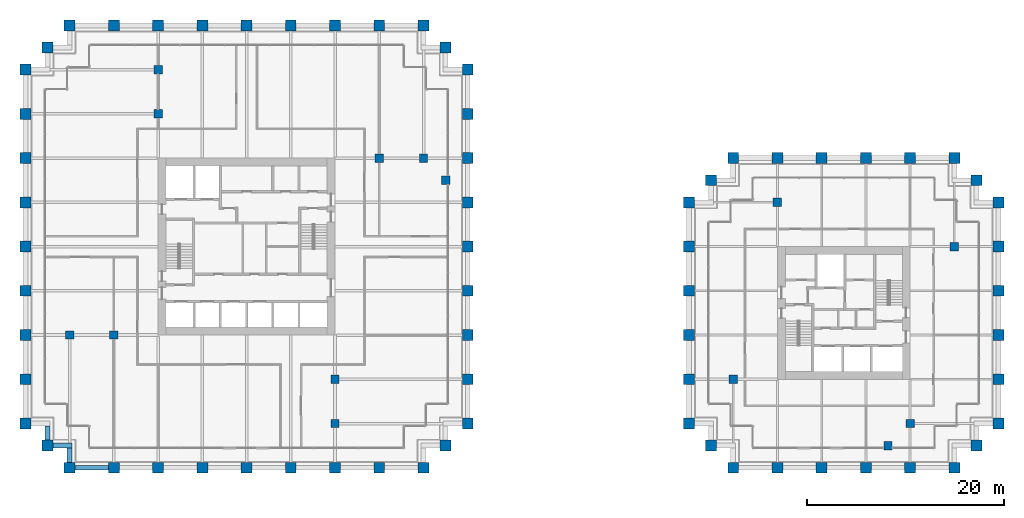
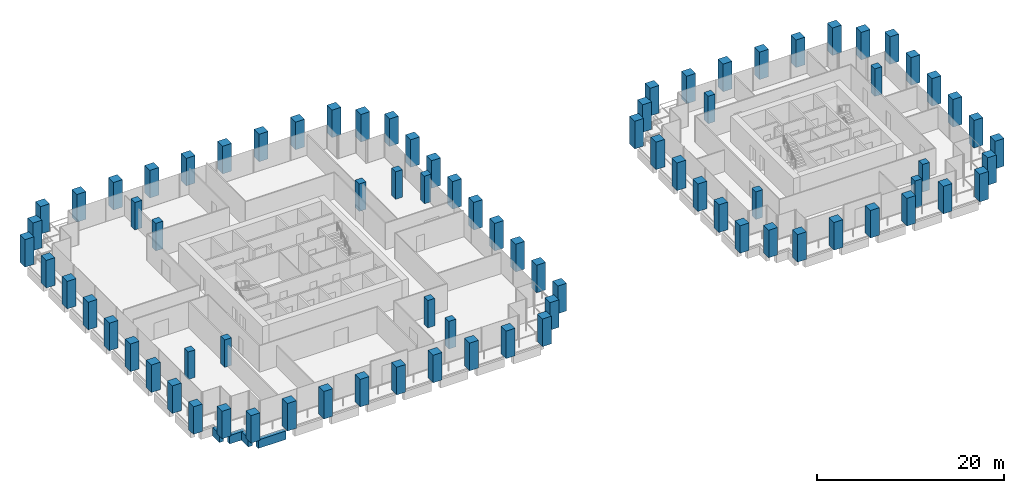
# One storey, part 1 of 54: 82 columns, 4 beams.
"""IFC4 building model written with IfcOpenShell, lengths in metres."""

from ifc_helpers import new_model, si_unit, direction, frame, origin, origin_2d, place, context, subcontext, project, spatial, rectangle, extrude, material, material_profile, profile_set, type_object, element, save


model = new_model("IFC4")

# Units and contexts
model_context = context("Model", 3, precision=1e-05, world=origin(), true_north=direction((0.0, 1.0)))
body_context = subcontext(model_context, "Body", "Model", "MODEL_VIEW")
ifc_project = project(units=[si_unit("LENGTHUNIT", "METRE"), si_unit("AREAUNIT", "SQUARE_METRE"), si_unit("VOLUMEUNIT", "CUBIC_METRE"), si_unit("PLANEANGLEUNIT", "RADIAN"), si_unit("MASSUNIT", "GRAM", prefix="KILO")], contexts=[model_context])

# Site, building, storey
site_placement = place(None, origin())
site = spatial("IfcSite", under=ifc_project, at=site_placement, CompositionType="ELEMENT")
building_placement = place(site_placement, origin())
building = spatial("IfcBuilding", under=site, at=building_placement, Name="Altepetl Exchange Towers", CompositionType="ELEMENT")
storey_placement = place(building_placement, frame((0.0, 0.0, 65.39990234375)))
storey = spatial("IfcBuildingStorey", under=building, at=storey_placement, Name="L15", CompositionType="ELEMENT", Elevation=65.39990234375)

# Columns
ifc_material_1 = material(Name="Concrete C70/85", Category="concrete")
ifc_material_profile_1 = material_profile(ifc_material_1, rectangle(XDim=0.85009765625, YDim=0.85009765625, at=origin_2d()), Name="850 x 850")
ifc_profile_set_1 = profile_set([ifc_material_profile_1], Name="Concrete C70/85")
column_type_1 = type_object("IfcColumnType", Name="Interior column 850", PredefinedType="COLUMN", material=ifc_profile_set_1)
for number, where, name in (
    (1, (31.5, 40.5, 0.0), "col:A:L15:040"),
    (2, (36.0, 40.5, 0.0), "col:A:L15:041"),
    (3, (40.5, 63.0, 0.0), "col:A:L15:042"),
    (4, (40.5, 67.5, 0.0), "col:A:L15:043"),
    (5, (58.5, 31.5, 0.0), "col:A:L15:044"),
    (6, (58.5, 36.0, 0.0), "col:A:L15:045"),
    (7, (63.0, 58.5, 0.0), "col:A:L15:046"),
    (8, (67.5, 58.5, 0.0), "col:A:L15:047"),
    (9, (69.75, 56.25, 0.0), "col:A:L15:048"),
    (10, (99.0, 36.0, 0.0), "col:B:L15:028"),
    (11, (103.5, 54.0, 0.0), "col:B:L15:029"),
    (12, (114.75, 29.25, 0.0), "col:B:L15:030"),
    (13, (117.0, 31.5, 0.0), "col:B:L15:031"),
    (14, (121.5, 49.5, 0.0), "col:B:L15:032"),
):
    element("IfcColumn", number, at=place(storey_placement, frame(where)), inside=storey, type_object=column_type_1, Name=name, PredefinedType="COLUMN", context=body_context, shape_type="SweptSolid", body=[
        extrude(rectangle(XDim=0.85009765625, YDim=0.85009765625, at=origin_2d()), origin(), (0.0, 0.0, 1.0), 3.60009765625),
    ])
ifc_material_2 = material(Name="Concrete C70/85 precast with cantera amarilla facing", Category="concrete")
ifc_material_profile_2 = material_profile(ifc_material_2, rectangle(XDim=1.10009765625, YDim=1.10009765625, at=origin_2d()), Name="1100 x 1100")
ifc_profile_set_2 = profile_set([ifc_material_profile_2], Name="Concrete C70/85 precast with cantera amarilla facing")
column_type_2 = type_object("IfcColumnType", Name="Perimeter column 1100 cantera amarilla", PredefinedType="COLUMN", material=ifc_profile_set_2)
for number, where, name in (
    (15, (58.5, 27.0, 0.0), "col:A:L15:006"),
    (16, (63.0, 27.0, 0.0), "col:A:L15:007"),
    (17, (67.5, 27.0, 0.0), "col:A:L15:008"),
    (18, (69.75, 29.25, 0.0), "col:A:L15:009"),
    (19, (72.0, 31.5, 0.0), "col:A:L15:010"),
    (20, (72.0, 36.0, 0.0), "col:A:L15:011"),
    (21, (72.0, 40.5, 0.0), "col:A:L15:012"),
    (22, (72.0, 45.0, 0.0), "col:A:L15:013"),
    (23, (72.0, 49.5, 0.0), "col:A:L15:014"),
    (24, (72.0, 54.0, 0.0), "col:A:L15:015"),
    (25, (126.0, 49.5, 0.0), "col:B:L15:011"),
    (26, (126.0, 54.0, 0.0), "col:B:L15:012"),
    (27, (123.75, 56.25, 0.0), "col:B:L15:013"),
    (28, (121.5, 58.5, 0.0), "col:B:L15:014"),
    (29, (117.0, 58.5, 0.0), "col:B:L15:015"),
    (30, (112.5, 58.5, 0.0), "col:B:L15:016"),
    (31, (108.0, 58.5, 0.0), "col:B:L15:017"),
):
    element("IfcColumn", number, at=place(storey_placement, frame(where)), inside=storey, type_object=column_type_2, Name=name, PredefinedType="COLUMN", context=body_context, shape_type="SweptSolid", body=[
        extrude(rectangle(XDim=1.10009765625, YDim=1.10009765625, at=origin_2d()), origin(), (0.0, 0.0, 1.0), 3.60009765625),
    ])
ifc_material_3 = material(Name="Concrete C70/85 precast with cantera blanca facing", Category="concrete")
ifc_material_profile_3 = material_profile(ifc_material_3, rectangle(XDim=1.10009765625, YDim=1.10009765625, at=origin_2d()), Name="1100 x 1100")
ifc_profile_set_3 = profile_set([ifc_material_profile_3], Name="Concrete C70/85 precast with cantera blanca facing")
column_type_3 = type_object("IfcColumnType", Name="Perimeter column 1100 cantera blanca", PredefinedType="COLUMN", material=ifc_profile_set_3)
for number, where, name in (
    (32, (31.5, 27.0, 0.0), "col:A:L15:000"),
    (33, (36.0, 27.0, 0.0), "col:A:L15:001"),
    (34, (40.5, 27.0, 0.0), "col:A:L15:002"),
    (35, (45.0, 27.0, 0.0), "col:A:L15:003"),
    (36, (49.5, 27.0, 0.0), "col:A:L15:004"),
    (37, (54.0, 27.0, 0.0), "col:A:L15:005"),
    (38, (27.0, 36.0, 0.0), "col:A:L15:037"),
    (39, (27.0, 31.5, 0.0), "col:A:L15:038"),
    (40, (29.25, 29.25, 0.0), "col:A:L15:039"),
    (41, (117.0, 27.0, 0.0), "col:B:L15:004"),
    (42, (121.5, 27.0, 0.0), "col:B:L15:005"),
    (43, (123.75, 29.25, 0.0), "col:B:L15:006"),
    (44, (126.0, 31.5, 0.0), "col:B:L15:007"),
    (45, (126.0, 36.0, 0.0), "col:B:L15:008"),
    (46, (126.0, 40.5, 0.0), "col:B:L15:009"),
    (47, (126.0, 45.0, 0.0), "col:B:L15:010"),
):
    element("IfcColumn", number, at=place(storey_placement, frame(where)), inside=storey, type_object=column_type_3, Name=name, PredefinedType="COLUMN", context=body_context, shape_type="SweptSolid", body=[
        extrude(rectangle(XDim=1.10009765625, YDim=1.10009765625, at=origin_2d()), origin(), (0.0, 0.0, 1.0), 3.60009765625),
    ])
ifc_material_4 = material(Name="Concrete C70/85 precast with cantera rosa facing", Category="concrete")
ifc_material_profile_4 = material_profile(ifc_material_4, rectangle(XDim=1.10009765625, YDim=1.10009765625, at=origin_2d()), Name="1100 x 1100")
ifc_profile_set_4 = profile_set([ifc_material_profile_4], Name="Concrete C70/85 precast with cantera rosa facing")
column_type_4 = type_object("IfcColumnType", Name="Perimeter column 1100 cantera rosa", PredefinedType="COLUMN", material=ifc_profile_set_4)
for number, where, name in (
    (48, (72.0, 58.5, 0.0), "col:A:L15:016"),
    (49, (72.0, 63.0, 0.0), "col:A:L15:017"),
    (50, (72.0, 67.5, 0.0), "col:A:L15:018"),
    (51, (69.75, 69.75, 0.0), "col:A:L15:019"),
    (52, (67.5, 72.0, 0.0), "col:A:L15:020"),
    (53, (63.0, 72.0, 0.0), "col:A:L15:021"),
    (54, (58.5, 72.0, 0.0), "col:A:L15:022"),
    (55, (54.0, 72.0, 0.0), "col:A:L15:023"),
    (56, (49.5, 72.0, 0.0), "col:A:L15:024"),
    (57, (45.0, 72.0, 0.0), "col:A:L15:025"),
    (58, (103.5, 58.5, 0.0), "col:B:L15:018"),
    (59, (99.0, 58.5, 0.0), "col:B:L15:019"),
    (60, (96.75, 56.25, 0.0), "col:B:L15:020"),
    (61, (94.5, 54.0, 0.0), "col:B:L15:021"),
    (62, (94.5, 49.5, 0.0), "col:B:L15:022"),
    (63, (94.5, 45.0, 0.0), "col:B:L15:023"),
    (64, (94.5, 40.5, 0.0), "col:B:L15:024"),
    (65, (94.5, 36.0, 0.0), "col:B:L15:025"),
):
    element("IfcColumn", number, at=place(storey_placement, frame(where)), inside=storey, type_object=column_type_4, Name=name, PredefinedType="COLUMN", context=body_context, shape_type="SweptSolid", body=[
        extrude(rectangle(XDim=1.10009765625, YDim=1.10009765625, at=origin_2d()), origin(), (0.0, 0.0, 1.0), 3.60009765625),
    ])
ifc_material_5 = material(Name="Concrete C70/85 precast with tezontle facing", Category="concrete")
ifc_material_profile_5 = material_profile(ifc_material_5, rectangle(XDim=1.10009765625, YDim=1.10009765625, at=origin_2d()), Name="1100 x 1100")
ifc_profile_set_5 = profile_set([ifc_material_profile_5], Name="Concrete C70/85 precast with tezontle facing")
column_type_5 = type_object("IfcColumnType", Name="Perimeter column 1100 tezontle", PredefinedType="COLUMN", material=ifc_profile_set_5)
for number, where, name in (
    (66, (40.5, 72.0, 0.0), "col:A:L15:026"),
    (67, (36.0, 72.0, 0.0), "col:A:L15:027"),
    (68, (31.5, 72.0, 0.0), "col:A:L15:028"),
    (69, (29.25, 69.75, 0.0), "col:A:L15:029"),
    (70, (27.0, 67.5, 0.0), "col:A:L15:030"),
    (71, (27.0, 63.0, 0.0), "col:A:L15:031"),
    (72, (27.0, 58.5, 0.0), "col:A:L15:032"),
    (73, (27.0, 54.0, 0.0), "col:A:L15:033"),
    (74, (27.0, 49.5, 0.0), "col:A:L15:034"),
    (75, (27.0, 45.0, 0.0), "col:A:L15:035"),
    (76, (27.0, 40.5, 0.0), "col:A:L15:036"),
    (77, (99.0, 27.0, 0.0), "col:B:L15:000"),
    (78, (103.5, 27.0, 0.0), "col:B:L15:001"),
    (79, (108.0, 27.0, 0.0), "col:B:L15:002"),
    (80, (112.5, 27.0, 0.0), "col:B:L15:003"),
    (81, (94.5, 31.5, 0.0), "col:B:L15:026"),
    (82, (96.75, 29.25, 0.0), "col:B:L15:027"),
):
    element("IfcColumn", number, at=place(storey_placement, frame(where)), inside=storey, type_object=column_type_5, Name=name, PredefinedType="COLUMN", context=body_context, shape_type="SweptSolid", body=[
        extrude(rectangle(XDim=1.10009765625, YDim=1.10009765625, at=origin_2d()), origin(), (0.0, 0.0, 1.0), 3.60009765625),
    ])

# Beams
ifc_material_6 = material(Name="Concrete C50/60 precast with cantera blanca facing", Category="concrete")
ifc_material_profile_6 = material_profile(ifc_material_6, rectangle(XDim=0.5, YDim=1.10009765625, at=origin_2d()), Name="500 x 1100")
ifc_profile_set_6 = profile_set([ifc_material_profile_6], Name="Concrete C50/60 precast with cantera blanca facing")
beam_type = type_object("IfcBeamType", Name="Spandrel beam 500x1100 cantera blanca", PredefinedType="SPANDREL", material=ifc_profile_set_6)
beam_1_placement = place(storey_placement, frame((32.050048828125, 27.0, -0.699951171875), z_axis=(1.0, 0.0, 0.0), x_axis=(0.0, 1.0, 0.0)))
element("IfcBeam", 83, at=beam_1_placement, inside=storey, type_object=beam_type, Name="sp:A:L15:000", PredefinedType="SPANDREL", context=body_context, shape_type="SweptSolid", body=[
    extrude(rectangle(XDim=0.5, YDim=1.10009765625, at=origin_2d()), origin(), (0.0, 0.0, 1.0), 3.39990234375),
])
beam_2_placement = place(storey_placement, frame((29.25, 31.25, -0.699951171875), z_axis=(0.0, -1.0, 0.0), x_axis=(1.0, 0.0, 0.0)))
element("IfcBeam", 84, at=beam_2_placement, inside=storey, type_object=beam_type, Name="sp:A:L15:045", PredefinedType="SPANDREL", context=body_context, shape_type="SweptSolid", body=[
    extrude(rectangle(XDim=0.5, YDim=1.10009765625, at=origin_2d()), origin(), (0.0, 0.0, 1.0), 1.449951171875),
])
beam_3_placement = place(storey_placement, frame((29.800048828125, 29.25, -0.699951171875), z_axis=(1.0, 0.0, 0.0), x_axis=(0.0, 1.0, 0.0)))
element("IfcBeam", 85, at=beam_3_placement, inside=storey, type_object=beam_type, Name="sp:A:L15:046", PredefinedType="SPANDREL", context=body_context, shape_type="SweptSolid", body=[
    extrude(rectangle(XDim=0.5, YDim=1.10009765625, at=origin_2d()), origin(), (0.0, 0.0, 1.0), 1.949951171875),
])
beam_4_placement = place(storey_placement, frame((31.5, 29.0, -0.699951171875), z_axis=(0.0, -1.0, 0.0), x_axis=(1.0, 0.0, 0.0)))
element("IfcBeam", 86, at=beam_4_placement, inside=storey, type_object=beam_type, Name="sp:A:L15:047", PredefinedType="SPANDREL", context=body_context, shape_type="SweptSolid", body=[
    extrude(rectangle(XDim=0.5, YDim=1.10009765625, at=origin_2d()), origin(), (0.0, 0.0, 1.0), 1.449951171875),
])

save(model, "model.ifc")
